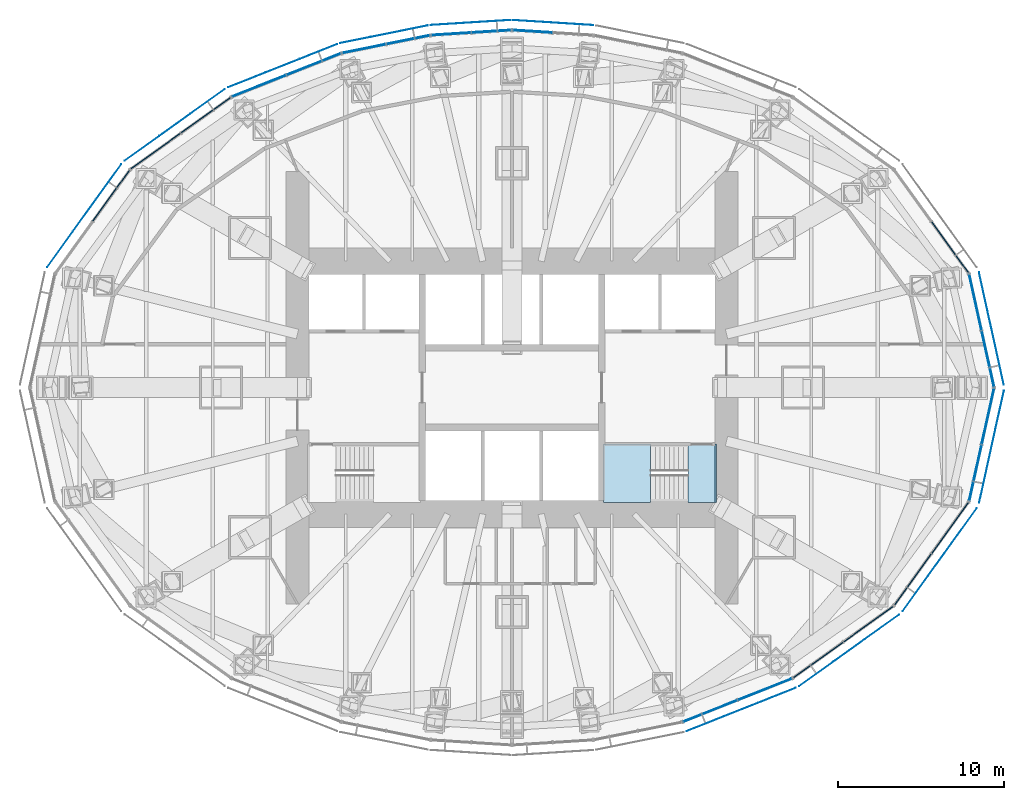
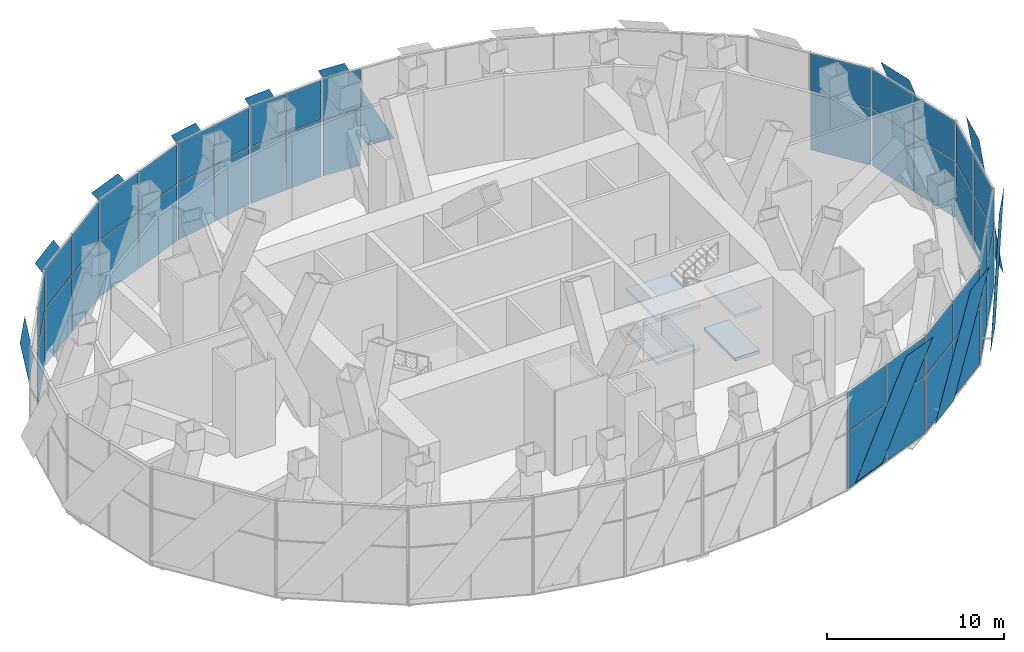
# One storey, part 12 of 19: 53 plates, 4 slabs, 13 elements without a shape of their own.
"""IFC4 building model written with IfcOpenShell, lengths in metres."""

from ifc_helpers import new_model, si_unit, direction, frame, origin, origin_2d, place, context, subcontext, project, spatial, polyline, rectangle, outline, extrude, material, layer, layer_set, type_object, element, aggregate, save


model = new_model("IFC4")

# Units and contexts
model_context = context("Model", 3, precision=1e-05, world=origin(), true_north=direction((0.0, 1.0)))
body_context = subcontext(model_context, "Body", "Model", "MODEL_VIEW")
ifc_project = project(units=[si_unit("LENGTHUNIT", "METRE"), si_unit("AREAUNIT", "SQUARE_METRE"), si_unit("VOLUMEUNIT", "CUBIC_METRE"), si_unit("PLANEANGLEUNIT", "RADIAN"), si_unit("MASSUNIT", "GRAM", prefix="KILO")], contexts=[model_context])

# Site, building, storey
site_placement = place(None, origin())
site = spatial("IfcSite", under=ifc_project, at=site_placement, CompositionType="ELEMENT")
building_placement = place(site_placement, origin())
building = spatial("IfcBuilding", under=site, at=building_placement, Name="Lantaw Convention Tower", CompositionType="ELEMENT")
storey_placement = place(building_placement, frame((0.0, 0.0, 193.0)))
storey = spatial("IfcBuildingStorey", under=building, at=storey_placement, Name="L45", CompositionType="ELEMENT", Elevation=193.0)

# Curtain wall, plates
ifc_material_1 = material(Name="Aluminium framed curtain wall", Category="aluminium")
curtain_wall_type = type_object("IfcCurtainWallType", Name="Plant floor louvre wall, pale aluminium", PredefinedType="USERDEFINED", material=ifc_material_1)
curtain_wall_1_placement = place(storey_placement, origin())
curtain_wall_1 = element("IfcCurtainWall", 1, at=curtain_wall_1_placement, inside=storey, type_object=curtain_wall_type, Name="Plant floor louvre wall, pale aluminium L45", ObjectType="LOUVRE WALL", PredefinedType="USERDEFINED")
ifc_material_2 = material(Name="Aluminium louvre blades", Category="aluminium")
ifc_layer_1 = layer(ifc_material_2, 0.050048828125)
ifc_layer_set_1 = layer_set([ifc_layer_1], Name="CW-LV panel 50")
plate_type_1 = type_object("IfcPlateType", Name="CW-LV panel 50", PredefinedType="CURTAIN_PANEL", material=ifc_layer_set_1)
plate_1_placement = place(storey_placement, frame((28.617919921875, 1.73046875, -0.929931640625), z_axis=(0.0, 0.0, 1.0), x_axis=(-0.215546166174, 0.9764936509, 0.0)))
plate_1 = element("IfcPlate", 2, at=plate_1_placement, type_object=plate_type_1, Name="CW-LV panel 1.1", PredefinedType="CURTAIN_PANEL", context=body_context, shape_type="SweptSolid", body=[
    extrude(rectangle(XDim=3.404052734375, YDim=0.050048828125, at=origin_2d()), origin(), (0.0, 0.0, 1.0), 3.89501953125),
])
plate_2_placement = place(storey_placement, frame((28.617919921875, 1.73046875, 3.03515625), z_axis=(0.0, 0.0, 1.0), x_axis=(-0.215546166174, 0.9764936509, 0.0)))
plate_2 = element("IfcPlate", 3, at=plate_2_placement, type_object=plate_type_1, Name="CW-LV panel 1.2", PredefinedType="CURTAIN_PANEL", context=body_context, shape_type="SweptSolid", body=[
    extrude(rectangle(XDim=3.404052734375, YDim=0.050048828125, at=origin_2d()), origin(), (0.0, 0.0, 1.0), 2.695068359375),
])
plate_3_placement = place(storey_placement, frame((27.869140625, 5.122802734375, -0.929931640625), z_axis=(0.0, 0.0, 1.0), x_axis=(-0.215546166174, 0.9764936509, 0.0)))
plate_3 = element("IfcPlate", 4, at=plate_3_placement, type_object=plate_type_1, Name="CW-LV panel 2.1", PredefinedType="CURTAIN_PANEL", context=body_context, shape_type="SweptSolid", body=[
    extrude(rectangle(XDim=3.404052734375, YDim=0.050048828125, at=origin_2d()), origin(), (0.0, 0.0, 1.0), 3.89501953125),
])
plate_4_placement = place(storey_placement, frame((27.869140625, 5.122802734375, 3.03515625), z_axis=(0.0, 0.0, 1.0), x_axis=(-0.215546166174, 0.9764936509, 0.0)))
plate_4 = element("IfcPlate", 5, at=plate_4_placement, type_object=plate_type_1, Name="CW-LV panel 2.2", PredefinedType="CURTAIN_PANEL", context=body_context, shape_type="SweptSolid", body=[
    extrude(rectangle(XDim=3.404052734375, YDim=0.050048828125, at=origin_2d()), origin(), (0.0, 0.0, 1.0), 2.695068359375),
])
aggregate(curtain_wall_1, [plate_1, plate_2, plate_3, plate_4])

curtain_wall_2_placement = place(storey_placement, origin())
curtain_wall_2 = element("IfcCurtainWall", 6, at=curtain_wall_2_placement, inside=storey, type_object=curtain_wall_type, Name="Plant floor louvre wall, pale aluminium L45", ObjectType="LOUVRE WALL", PredefinedType="USERDEFINED")
plate_5_placement = place(storey_placement, frame((26.347412109375, 8.435546875, -0.929931640625), z_axis=(0.0, 0.0, 1.0), x_axis=(-0.584512597221, 0.811384633629, 0.0)))
plate_5 = element("IfcPlate", 7, at=plate_5_placement, type_object=plate_type_1, Name="CW-LV panel 1.1", PredefinedType="CURTAIN_PANEL", context=body_context, shape_type="SweptSolid", body=[
    extrude(rectangle(XDim=3.760009765625, YDim=0.050048828125, at=origin_2d()), origin(), (0.0, 0.0, 1.0), 3.89501953125),
])
plate_6_placement = place(storey_placement, frame((26.347412109375, 8.435546875, 3.03515625), z_axis=(0.0, 0.0, 1.0), x_axis=(-0.584512597221, 0.811384633629, 0.0)))
plate_6 = element("IfcPlate", 8, at=plate_6_placement, type_object=plate_type_1, Name="CW-LV panel 1.2", PredefinedType="CURTAIN_PANEL", context=body_context, shape_type="SweptSolid", body=[
    extrude(rectangle(XDim=3.760009765625, YDim=0.050048828125, at=origin_2d()), origin(), (0.0, 0.0, 1.0), 2.695068359375),
])
aggregate(curtain_wall_2, [plate_5, plate_6])

curtain_wall_3_placement = place(storey_placement, origin())
curtain_wall_3 = element("IfcCurtainWall", 9, at=curtain_wall_3_placement, inside=storey, type_object=curtain_wall_type, Name="Plant floor louvre wall, pale aluminium L45", ObjectType="LOUVRE WALL", PredefinedType="USERDEFINED")
plate_7_placement = place(storey_placement, frame((1.240478515625, 21.421875, -0.929931640625), z_axis=(0.0, 0.0, 1.0), x_axis=(-0.998022035978, 0.062865059466, 0.0)))
plate_7 = element("IfcPlate", 10, at=plate_7_placement, type_object=plate_type_1, Name="CW-LV panel 2.1", PredefinedType="CURTAIN_PANEL", context=body_context, shape_type="SweptSolid", body=[
    extrude(rectangle(XDim=2.34619140625, YDim=0.050048828125, at=origin_2d()), origin(), (0.0, 0.0, 1.0), 3.89501953125),
])
plate_8_placement = place(storey_placement, frame((1.240478515625, 21.421875, 3.03515625), z_axis=(0.0, 0.0, 1.0), x_axis=(-0.998022035978, 0.062865059466, 0.0)))
plate_8 = element("IfcPlate", 11, at=plate_8_placement, type_object=plate_type_1, Name="CW-LV panel 2.2", PredefinedType="CURTAIN_PANEL", context=body_context, shape_type="SweptSolid", body=[
    extrude(rectangle(XDim=2.34619140625, YDim=0.050048828125, at=origin_2d()), origin(), (0.0, 0.0, 1.0), 2.695068359375),
])
aggregate(curtain_wall_3, [plate_7, plate_8])

curtain_wall_4_placement = place(storey_placement, origin())
curtain_wall_4 = element("IfcCurtainWall", 12, at=curtain_wall_4_placement, inside=storey, type_object=curtain_wall_type, Name="Plant floor louvre wall, pale aluminium L45", ObjectType="LOUVRE WALL", PredefinedType="USERDEFINED")
plate_9_placement = place(storey_placement, frame((-1.240478515625, 21.421875, -0.929931640625), z_axis=(0.0, 0.0, 1.0), x_axis=(-0.998022035978, -0.062865059466, 0.0)))
plate_9 = element("IfcPlate", 13, at=plate_9_placement, type_object=plate_type_1, Name="CW-LV panel 1.1", PredefinedType="CURTAIN_PANEL", context=body_context, shape_type="SweptSolid", body=[
    extrude(rectangle(XDim=2.34619140625, YDim=0.050048828125, at=origin_2d()), origin(), (0.0, 0.0, 1.0), 3.89501953125),
])
plate_10_placement = place(storey_placement, frame((-1.240478515625, 21.421875, 3.03515625), z_axis=(0.0, 0.0, 1.0), x_axis=(-0.998022035978, -0.062865059466, 0.0)))
plate_10 = element("IfcPlate", 14, at=plate_10_placement, type_object=plate_type_1, Name="CW-LV panel 1.2", PredefinedType="CURTAIN_PANEL", context=body_context, shape_type="SweptSolid", body=[
    extrude(rectangle(XDim=2.34619140625, YDim=0.050048828125, at=origin_2d()), origin(), (0.0, 0.0, 1.0), 2.695068359375),
])
plate_11_placement = place(storey_placement, frame((-3.65185546875, 21.27001953125, -0.929931640625), z_axis=(0.0, 0.0, 1.0), x_axis=(-0.998022035978, -0.062865059466, 0.0)))
plate_11 = element("IfcPlate", 15, at=plate_11_placement, type_object=plate_type_1, Name="CW-LV panel 2.1", PredefinedType="CURTAIN_PANEL", context=body_context, shape_type="SweptSolid", body=[
    extrude(rectangle(XDim=2.34619140625, YDim=0.050048828125, at=origin_2d()), origin(), (0.0, 0.0, 1.0), 3.89501953125),
])
plate_12_placement = place(storey_placement, frame((-3.65185546875, 21.27001953125, 3.03515625), z_axis=(0.0, 0.0, 1.0), x_axis=(-0.998022035978, -0.062865059466, 0.0)))
plate_12 = element("IfcPlate", 16, at=plate_12_placement, type_object=plate_type_1, Name="CW-LV panel 2.2", PredefinedType="CURTAIN_PANEL", context=body_context, shape_type="SweptSolid", body=[
    extrude(rectangle(XDim=2.34619140625, YDim=0.050048828125, at=origin_2d()), origin(), (0.0, 0.0, 1.0), 2.695068359375),
])
aggregate(curtain_wall_4, [plate_9, plate_10, plate_11, plate_12])

curtain_wall_5_placement = place(storey_placement, origin())
curtain_wall_5 = element("IfcCurtainWall", 17, at=curtain_wall_5_placement, inside=storey, type_object=curtain_wall_type, Name="Plant floor louvre wall, pale aluminium L45", ObjectType="LOUVRE WALL", PredefinedType="USERDEFINED")
plate_13_placement = place(storey_placement, frame((-6.24853515625, 20.918701171875, -0.929931640625), z_axis=(0.0, 0.0, 1.0), x_axis=(-0.980301514912, -0.197506809659, 0.0)))
plate_13 = element("IfcPlate", 18, at=plate_13_placement, type_object=plate_type_1, Name="CW-LV panel 1.1", PredefinedType="CURTAIN_PANEL", context=body_context, shape_type="SweptSolid", body=[
    extrude(rectangle(XDim=2.62646484375, YDim=0.050048828125, at=origin_2d()), origin(), (0.0, 0.0, 1.0), 3.89501953125),
])
plate_14_placement = place(storey_placement, frame((-6.24853515625, 20.918701171875, 3.03515625), z_axis=(0.0, 0.0, 1.0), x_axis=(-0.980301514912, -0.197506809659, 0.0)))
plate_14 = element("IfcPlate", 19, at=plate_14_placement, type_object=plate_type_1, Name="CW-LV panel 1.2", PredefinedType="CURTAIN_PANEL", context=body_context, shape_type="SweptSolid", body=[
    extrude(rectangle(XDim=2.62646484375, YDim=0.050048828125, at=origin_2d()), origin(), (0.0, 0.0, 1.0), 2.695068359375),
])
plate_15_placement = place(storey_placement, frame((-8.89208984375, 20.385986328125, -0.929931640625), z_axis=(0.0, 0.0, 1.0), x_axis=(-0.980301514912, -0.197506809659, 0.0)))
plate_15 = element("IfcPlate", 20, at=plate_15_placement, type_object=plate_type_1, Name="CW-LV panel 2.1", PredefinedType="CURTAIN_PANEL", context=body_context, shape_type="SweptSolid", body=[
    extrude(rectangle(XDim=2.62646484375, YDim=0.050048828125, at=origin_2d()), origin(), (0.0, 0.0, 1.0), 3.89501953125),
])
plate_16_placement = place(storey_placement, frame((-8.89208984375, 20.385986328125, 3.03515625), z_axis=(0.0, 0.0, 1.0), x_axis=(-0.980301514912, -0.197506809659, 0.0)))
plate_16 = element("IfcPlate", 21, at=plate_16_placement, type_object=plate_type_1, Name="CW-LV panel 2.2", PredefinedType="CURTAIN_PANEL", context=body_context, shape_type="SweptSolid", body=[
    extrude(rectangle(XDim=2.62646484375, YDim=0.050048828125, at=origin_2d()), origin(), (0.0, 0.0, 1.0), 2.695068359375),
])
aggregate(curtain_wall_5, [plate_13, plate_14, plate_15, plate_16])

curtain_wall_6_placement = place(storey_placement, origin())
curtain_wall_6 = element("IfcCurtainWall", 22, at=curtain_wall_6_placement, inside=storey, type_object=curtain_wall_type, Name="Plant floor louvre wall, pale aluminium L45", ObjectType="LOUVRE WALL", PredefinedType="USERDEFINED")
plate_17_placement = place(storey_placement, frame((-11.922607421875, 19.448486328125, -0.929931640625), z_axis=(0.0, 0.0, 1.0), x_axis=(-0.929547687544, -0.368701907483, 0.0)))
plate_17 = element("IfcPlate", 23, at=plate_17_placement, type_object=plate_type_1, Name="CW-LV panel 1.1", PredefinedType="CURTAIN_PANEL", context=body_context, shape_type="SweptSolid", body=[
    extrude(rectangle(XDim=3.46337890625, YDim=0.050048828125, at=origin_2d()), origin(), (0.0, 0.0, 1.0), 3.89501953125),
])
plate_18_placement = place(storey_placement, frame((-11.922607421875, 19.448486328125, 3.03515625), z_axis=(0.0, 0.0, 1.0), x_axis=(-0.929547687544, -0.368701907483, 0.0)))
plate_18 = element("IfcPlate", 24, at=plate_18_placement, type_object=plate_type_1, Name="CW-LV panel 1.2", PredefinedType="CURTAIN_PANEL", context=body_context, shape_type="SweptSolid", body=[
    extrude(rectangle(XDim=3.46337890625, YDim=0.050048828125, at=origin_2d()), origin(), (0.0, 0.0, 1.0), 2.695068359375),
])
plate_19_placement = place(storey_placement, frame((-15.20703125, 18.145751953125, -0.929931640625), z_axis=(0.0, 0.0, 1.0), x_axis=(-0.929547687544, -0.368701907483, 0.0)))
plate_19 = element("IfcPlate", 25, at=plate_19_placement, type_object=plate_type_1, Name="CW-LV panel 2.1", PredefinedType="CURTAIN_PANEL", context=body_context, shape_type="SweptSolid", body=[
    extrude(rectangle(XDim=3.46337890625, YDim=0.050048828125, at=origin_2d()), origin(), (0.0, 0.0, 1.0), 3.89501953125),
])
plate_20_placement = place(storey_placement, frame((-15.20703125, 18.145751953125, 3.03515625), z_axis=(0.0, 0.0, 1.0), x_axis=(-0.929547687544, -0.368701907483, 0.0)))
plate_20 = element("IfcPlate", 26, at=plate_20_placement, type_object=plate_type_1, Name="CW-LV panel 2.2", PredefinedType="CURTAIN_PANEL", context=body_context, shape_type="SweptSolid", body=[
    extrude(rectangle(XDim=3.46337890625, YDim=0.050048828125, at=origin_2d()), origin(), (0.0, 0.0, 1.0), 2.695068359375),
])
aggregate(curtain_wall_6, [plate_17, plate_18, plate_19, plate_20])

curtain_wall_7_placement = place(storey_placement, origin())
curtain_wall_7 = element("IfcCurtainWall", 27, at=curtain_wall_7_placement, inside=storey, type_object=curtain_wall_type, Name="Plant floor louvre wall, pale aluminium L45", ObjectType="LOUVRE WALL", PredefinedType="USERDEFINED")
plate_21_placement = place(storey_placement, frame((-18.417724609375, 16.38232421875, -0.929931640625), z_axis=(0.0, 0.0, 1.0), x_axis=(-0.813208325995, -0.581972695693, 0.0)))
plate_21 = element("IfcPlate", 28, at=plate_21_placement, type_object=plate_type_1, Name="CW-LV panel 1.1", PredefinedType="CURTAIN_PANEL", context=body_context, shape_type="SweptSolid", body=[
    extrude(rectangle(XDim=3.6376953125, YDim=0.050048828125, at=origin_2d()), origin(), (0.0, 0.0, 1.0), 3.89501953125),
])
plate_22_placement = place(storey_placement, frame((-18.417724609375, 16.38232421875, 3.03515625), z_axis=(0.0, 0.0, 1.0), x_axis=(-0.813208325995, -0.581972695693, 0.0)))
plate_22 = element("IfcPlate", 29, at=plate_22_placement, type_object=plate_type_1, Name="CW-LV panel 1.2", PredefinedType="CURTAIN_PANEL", context=body_context, shape_type="SweptSolid", body=[
    extrude(rectangle(XDim=3.6376953125, YDim=0.050048828125, at=origin_2d()), origin(), (0.0, 0.0, 1.0), 2.695068359375),
])
plate_23_placement = place(storey_placement, frame((-21.43310546875, 14.224365234375, -0.929931640625), z_axis=(0.0, 0.0, 1.0), x_axis=(-0.813208325995, -0.581972695693, 0.0)))
plate_23 = element("IfcPlate", 30, at=plate_23_placement, type_object=plate_type_1, Name="CW-LV panel 2.1", PredefinedType="CURTAIN_PANEL", context=body_context, shape_type="SweptSolid", body=[
    extrude(rectangle(XDim=3.6376953125, YDim=0.050048828125, at=origin_2d()), origin(), (0.0, 0.0, 1.0), 3.89501953125),
])
plate_24_placement = place(storey_placement, frame((-21.43310546875, 14.224365234375, 3.03515625), z_axis=(0.0, 0.0, 1.0), x_axis=(-0.813208325995, -0.581972695693, 0.0)))
plate_24 = element("IfcPlate", 31, at=plate_24_placement, type_object=plate_type_1, Name="CW-LV panel 2.2", PredefinedType="CURTAIN_PANEL", context=body_context, shape_type="SweptSolid", body=[
    extrude(rectangle(XDim=3.6376953125, YDim=0.050048828125, at=origin_2d()), origin(), (0.0, 0.0, 1.0), 2.695068359375),
])
aggregate(curtain_wall_7, [plate_21, plate_22, plate_23, plate_24])

curtain_wall_8_placement = place(storey_placement, origin())
curtain_wall_8 = element("IfcCurtainWall", 32, at=curtain_wall_8_placement, inside=storey, type_object=curtain_wall_type, Name="Plant floor louvre wall, pale aluminium L45", ObjectType="LOUVRE WALL", PredefinedType="USERDEFINED")
plate_25_placement = place(storey_placement, frame((-24.10888671875, 11.54296875, -0.929931640625), z_axis=(0.0, 0.0, 1.0), x_axis=(-0.584512597221, -0.811384633629, 0.0)))
plate_25 = element("IfcPlate", 33, at=plate_25_placement, type_object=plate_type_1, Name="CW-LV panel 1.1", PredefinedType="CURTAIN_PANEL", context=body_context, shape_type="SweptSolid", body=[
    extrude(rectangle(XDim=3.760009765625, YDim=0.050048828125, at=origin_2d()), origin(), (0.0, 0.0, 1.0), 3.89501953125),
])
plate_26_placement = place(storey_placement, frame((-24.10888671875, 11.54296875, 3.03515625), z_axis=(0.0, 0.0, 1.0), x_axis=(-0.584512597221, -0.811384633629, 0.0)))
plate_26 = element("IfcPlate", 34, at=plate_26_placement, type_object=plate_type_1, Name="CW-LV panel 1.2", PredefinedType="CURTAIN_PANEL", context=body_context, shape_type="SweptSolid", body=[
    extrude(rectangle(XDim=3.760009765625, YDim=0.050048828125, at=origin_2d()), origin(), (0.0, 0.0, 1.0), 2.695068359375),
])
aggregate(curtain_wall_8, [plate_25, plate_26])

curtain_wall_9_placement = place(storey_placement, origin())
curtain_wall_9 = element("IfcCurtainWall", 35, at=curtain_wall_9_placement, inside=storey, type_object=curtain_wall_type, Name="Plant floor louvre wall, pale aluminium L45", ObjectType="LOUVRE WALL", PredefinedType="USERDEFINED")
plate_27_placement = place(storey_placement, frame((11.922607421875, -19.448486328125, -0.929931640625), z_axis=(0.0, 0.0, 1.0), x_axis=(0.929547687544, 0.368701907483, 0.0)))
plate_27 = element("IfcPlate", 36, at=plate_27_placement, type_object=plate_type_1, Name="CW-LV panel 1.1", PredefinedType="CURTAIN_PANEL", context=body_context, shape_type="SweptSolid", body=[
    extrude(rectangle(XDim=3.46337890625, YDim=0.050048828125, at=origin_2d()), origin(), (0.0, 0.0, 1.0), 3.89501953125),
])
plate_28_placement = place(storey_placement, frame((11.922607421875, -19.448486328125, 3.03515625), z_axis=(0.0, 0.0, 1.0), x_axis=(0.929547687544, 0.368701907483, 0.0)))
plate_28 = element("IfcPlate", 37, at=plate_28_placement, type_object=plate_type_1, Name="CW-LV panel 1.2", PredefinedType="CURTAIN_PANEL", context=body_context, shape_type="SweptSolid", body=[
    extrude(rectangle(XDim=3.46337890625, YDim=0.050048828125, at=origin_2d()), origin(), (0.0, 0.0, 1.0), 2.695068359375),
])
plate_29_placement = place(storey_placement, frame((15.20703125, -18.145751953125, -0.929931640625), z_axis=(0.0, 0.0, 1.0), x_axis=(0.929547687544, 0.368701907483, 0.0)))
plate_29 = element("IfcPlate", 38, at=plate_29_placement, type_object=plate_type_1, Name="CW-LV panel 2.1", PredefinedType="CURTAIN_PANEL", context=body_context, shape_type="SweptSolid", body=[
    extrude(rectangle(XDim=3.46337890625, YDim=0.050048828125, at=origin_2d()), origin(), (0.0, 0.0, 1.0), 3.89501953125),
])
plate_30_placement = place(storey_placement, frame((15.20703125, -18.145751953125, 3.03515625), z_axis=(0.0, 0.0, 1.0), x_axis=(0.929547687544, 0.368701907483, 0.0)))
plate_30 = element("IfcPlate", 39, at=plate_30_placement, type_object=plate_type_1, Name="CW-LV panel 2.2", PredefinedType="CURTAIN_PANEL", context=body_context, shape_type="SweptSolid", body=[
    extrude(rectangle(XDim=3.46337890625, YDim=0.050048828125, at=origin_2d()), origin(), (0.0, 0.0, 1.0), 2.695068359375),
])
aggregate(curtain_wall_9, [plate_27, plate_28, plate_29, plate_30])

curtain_wall_10_placement = place(storey_placement, origin())
curtain_wall_10 = element("IfcCurtainWall", 40, at=curtain_wall_10_placement, inside=storey, type_object=curtain_wall_type, Name="Plant floor louvre wall, pale aluminium L45", ObjectType="LOUVRE WALL", PredefinedType="USERDEFINED")
plate_31_placement = place(storey_placement, frame((18.417724609375, -16.38232421875, -0.929931640625), z_axis=(0.0, 0.0, 1.0), x_axis=(0.813208325995, 0.581972695693, 0.0)))
plate_31 = element("IfcPlate", 41, at=plate_31_placement, type_object=plate_type_1, Name="CW-LV panel 1.1", PredefinedType="CURTAIN_PANEL", context=body_context, shape_type="SweptSolid", body=[
    extrude(rectangle(XDim=3.6376953125, YDim=0.050048828125, at=origin_2d()), origin(), (0.0, 0.0, 1.0), 3.89501953125),
])
plate_32_placement = place(storey_placement, frame((18.417724609375, -16.38232421875, 3.03515625), z_axis=(0.0, 0.0, 1.0), x_axis=(0.813208325995, 0.581972695693, 0.0)))
plate_32 = element("IfcPlate", 42, at=plate_32_placement, type_object=plate_type_1, Name="CW-LV panel 1.2", PredefinedType="CURTAIN_PANEL", context=body_context, shape_type="SweptSolid", body=[
    extrude(rectangle(XDim=3.6376953125, YDim=0.050048828125, at=origin_2d()), origin(), (0.0, 0.0, 1.0), 2.695068359375),
])
plate_33_placement = place(storey_placement, frame((21.43310546875, -14.224365234375, -0.929931640625), z_axis=(0.0, 0.0, 1.0), x_axis=(0.813208325995, 0.581972695693, 0.0)))
plate_33 = element("IfcPlate", 43, at=plate_33_placement, type_object=plate_type_1, Name="CW-LV panel 2.1", PredefinedType="CURTAIN_PANEL", context=body_context, shape_type="SweptSolid", body=[
    extrude(rectangle(XDim=3.6376953125, YDim=0.050048828125, at=origin_2d()), origin(), (0.0, 0.0, 1.0), 3.89501953125),
])
plate_34_placement = place(storey_placement, frame((21.43310546875, -14.224365234375, 3.03515625), z_axis=(0.0, 0.0, 1.0), x_axis=(0.813208325995, 0.581972695693, 0.0)))
plate_34 = element("IfcPlate", 44, at=plate_34_placement, type_object=plate_type_1, Name="CW-LV panel 2.2", PredefinedType="CURTAIN_PANEL", context=body_context, shape_type="SweptSolid", body=[
    extrude(rectangle(XDim=3.6376953125, YDim=0.050048828125, at=origin_2d()), origin(), (0.0, 0.0, 1.0), 2.695068359375),
])
aggregate(curtain_wall_10, [plate_31, plate_32, plate_33, plate_34])

curtain_wall_11_placement = place(storey_placement, origin())
curtain_wall_11 = element("IfcCurtainWall", 45, at=curtain_wall_11_placement, inside=storey, type_object=curtain_wall_type, Name="Plant floor louvre wall, pale aluminium L45", ObjectType="LOUVRE WALL", PredefinedType="USERDEFINED")
plate_35_placement = place(storey_placement, frame((24.10888671875, -11.54296875, -0.929931640625), z_axis=(0.0, 0.0, 1.0), x_axis=(0.584512597221, 0.811384633629, 0.0)))
plate_35 = element("IfcPlate", 46, at=plate_35_placement, type_object=plate_type_1, Name="CW-LV panel 1.1", PredefinedType="CURTAIN_PANEL", context=body_context, shape_type="SweptSolid", body=[
    extrude(rectangle(XDim=3.760009765625, YDim=0.050048828125, at=origin_2d()), origin(), (0.0, 0.0, 1.0), 3.89501953125),
])
plate_36_placement = place(storey_placement, frame((24.10888671875, -11.54296875, 3.03515625), z_axis=(0.0, 0.0, 1.0), x_axis=(0.584512597221, 0.811384633629, 0.0)))
plate_36 = element("IfcPlate", 47, at=plate_36_placement, type_object=plate_type_1, Name="CW-LV panel 1.2", PredefinedType="CURTAIN_PANEL", context=body_context, shape_type="SweptSolid", body=[
    extrude(rectangle(XDim=3.760009765625, YDim=0.050048828125, at=origin_2d()), origin(), (0.0, 0.0, 1.0), 2.695068359375),
])
plate_37_placement = place(storey_placement, frame((26.347412109375, -8.435546875, -0.929931640625), z_axis=(0.0, 0.0, 1.0), x_axis=(0.584512597221, 0.811384633629, 0.0)))
plate_37 = element("IfcPlate", 48, at=plate_37_placement, type_object=plate_type_1, Name="CW-LV panel 2.1", PredefinedType="CURTAIN_PANEL", context=body_context, shape_type="SweptSolid", body=[
    extrude(rectangle(XDim=3.760009765625, YDim=0.050048828125, at=origin_2d()), origin(), (0.0, 0.0, 1.0), 3.89501953125),
])
plate_38_placement = place(storey_placement, frame((26.347412109375, -8.435546875, 3.03515625), z_axis=(0.0, 0.0, 1.0), x_axis=(0.584512597221, 0.811384633629, 0.0)))
plate_38 = element("IfcPlate", 49, at=plate_38_placement, type_object=plate_type_1, Name="CW-LV panel 2.2", PredefinedType="CURTAIN_PANEL", context=body_context, shape_type="SweptSolid", body=[
    extrude(rectangle(XDim=3.760009765625, YDim=0.050048828125, at=origin_2d()), origin(), (0.0, 0.0, 1.0), 2.695068359375),
])
aggregate(curtain_wall_11, [plate_35, plate_36, plate_37, plate_38])

curtain_wall_12_placement = place(storey_placement, origin())
curtain_wall_12 = element("IfcCurtainWall", 50, at=curtain_wall_12_placement, inside=storey, type_object=curtain_wall_type, Name="Plant floor louvre wall, pale aluminium L45", ObjectType="LOUVRE WALL", PredefinedType="USERDEFINED")
plate_39_placement = place(storey_placement, frame((27.869140625, -5.122802734375, -0.929931640625), z_axis=(0.0, 0.0, 1.0), x_axis=(0.215546166174, 0.9764936509, 0.0)))
plate_39 = element("IfcPlate", 51, at=plate_39_placement, type_object=plate_type_1, Name="CW-LV panel 1.1", PredefinedType="CURTAIN_PANEL", context=body_context, shape_type="SweptSolid", body=[
    extrude(rectangle(XDim=3.404052734375, YDim=0.050048828125, at=origin_2d()), origin(), (0.0, 0.0, 1.0), 3.89501953125),
])
plate_40_placement = place(storey_placement, frame((27.869140625, -5.122802734375, 3.03515625), z_axis=(0.0, 0.0, 1.0), x_axis=(0.215546166174, 0.9764936509, 0.0)))
plate_40 = element("IfcPlate", 52, at=plate_40_placement, type_object=plate_type_1, Name="CW-LV panel 1.2", PredefinedType="CURTAIN_PANEL", context=body_context, shape_type="SweptSolid", body=[
    extrude(rectangle(XDim=3.404052734375, YDim=0.050048828125, at=origin_2d()), origin(), (0.0, 0.0, 1.0), 2.695068359375),
])
plate_41_placement = place(storey_placement, frame((28.617919921875, -1.73046875, -0.929931640625), z_axis=(0.0, 0.0, 1.0), x_axis=(0.215546166174, 0.9764936509, 0.0)))
plate_41 = element("IfcPlate", 53, at=plate_41_placement, type_object=plate_type_1, Name="CW-LV panel 2.1", PredefinedType="CURTAIN_PANEL", context=body_context, shape_type="SweptSolid", body=[
    extrude(rectangle(XDim=3.404052734375, YDim=0.050048828125, at=origin_2d()), origin(), (0.0, 0.0, 1.0), 3.89501953125),
])
plate_42_placement = place(storey_placement, frame((28.617919921875, -1.73046875, 3.03515625), z_axis=(0.0, 0.0, 1.0), x_axis=(0.215546166174, 0.9764936509, 0.0)))
plate_42 = element("IfcPlate", 54, at=plate_42_placement, type_object=plate_type_1, Name="CW-LV panel 2.2", PredefinedType="CURTAIN_PANEL", context=body_context, shape_type="SweptSolid", body=[
    extrude(rectangle(XDim=3.404052734375, YDim=0.050048828125, at=origin_2d()), origin(), (0.0, 0.0, 1.0), 2.695068359375),
])
aggregate(curtain_wall_12, [plate_39, plate_40, plate_41, plate_42])

# Plates
ifc_material_3 = material(Name="Perforated aluminium sheet, pale silver finish", Category="aluminium")
ifc_layer_2 = layer(ifc_material_3, 0.006103515625)
ifc_layer_set_2 = layer_set([ifc_layer_2], Name="Perforated aluminium solar SCREEN panel")
plate_type_2 = type_object("IfcPlateType", Name="Perforated aluminium solar SCREEN panel", PredefinedType="SHEET", material=ifc_layer_set_2)
plate_43_placement = place(storey_placement, frame((29.5810546875, 0.179443359375, -0.199951171875), z_axis=(0.976497812737, 0.215527309569, 2.3461789e-05), x_axis=(-0.215527309629, 0.976497813005, 1.172e-09)))
element("IfcPlate", 55, at=plate_43_placement, inside=storey, type_object=plate_type_2, Name="Solar SCREEN panel", PredefinedType="SHEET", context=body_context, shape_type="SweptSolid", body=[
    extrude(outline(polyline([(0.0, 0.0), (2.386184367360998, -1.6940658945086007e-21), (6.918240190546627, 6.1650390560884105), (4.532108442157706, 6.165039061681704), (0.0, 0.0)])), origin(), (0.0, 0.0, -1.0), 0.006103515625),
])
plate_44_placement = place(storey_placement, frame((4.880615234375, 21.7998046875, -0.199951171875), z_axis=(0.062838799866, 0.998023689714, 1.235533e-06), x_axis=(-0.998023689715, 0.062838799866, -6e-12)))
element("IfcPlate", 56, at=plate_44_placement, inside=storey, type_object=plate_type_2, Name="Solar SCREEN panel", PredefinedType="SHEET", context=body_context, shape_type="SweptSolid", body=[
    extrude(outline(polyline([(0.0, 0.0), (1.6666243269452135, 2.6469779601696886e-23), (4.802214797186689, 6.1650390625320135), (3.135346812114104, 6.165039062513057), (0.0, 0.0)])), origin(), (0.0, 0.0, -1.0), 0.006103515625),
])
plate_45_placement = place(storey_placement, frame((-0.087890625, 22.1015625, -0.199951171875), z_axis=(0.062838799866, -0.998023689714, 1.235533e-06), x_axis=(-0.998023689715, -0.062838799866, 6e-12)))
element("IfcPlate", 57, at=plate_45_placement, inside=storey, type_object=plate_type_2, Name="Solar SCREEN panel", PredefinedType="SHEET", context=body_context, shape_type="SweptSolid", body=[
    extrude(outline(polyline([(0.0, 0.0), (1.6668679850725854, -2.6469779601696886e-23), (4.802214797256801, -6.165039062477401), (3.1355904703115876, -6.165039062496355), (0.0, 0.0)])), origin(), (0.0, 0.0, -1.0), 0.006103515625),
])
plate_46_placement = place(storey_placement, frame((-5.061279296875, 21.776123046875, -0.199951171875), z_axis=(0.197556725519, -0.980291456369, 2.7795745e-05), x_axis=(-0.980291456747, -0.197556725596, 0.0)))
element("IfcPlate", 58, at=plate_46_placement, inside=storey, type_object=plate_type_2, Name="Solar SCREEN panel", PredefinedType="SHEET", context=body_context, shape_type="SweptSolid", body=[
    extrude(outline(polyline([(0.0, 0.0), (1.8574075788555457, -1.6940658945086007e-21), (5.362987026845185, -6.165039064881565), (3.505579447989639, -6.165039064881565), (0.0, 0.0)])), origin(), (0.0, 0.0, -1.0), 0.006103515625),
])
plate_47_placement = place(storey_placement, frame((-10.517822265625, 20.65771484375, -0.199951171875), z_axis=(-0.368708915378, 0.929544907824, 7.650228e-06), x_axis=(-0.929544907851, -0.368708915389, -5e-10)))
element("IfcPlate", 59, at=plate_47_placement, inside=storey, type_object=plate_type_2, Name="Solar SCREEN panel", PredefinedType="SHEET", context=body_context, shape_type="SweptSolid", body=[
    extrude(outline(polyline([(0.0, 0.0), (2.426517302154632, 0.0), (7.0365496234061595, 6.165039066196178), (4.610169244101249, 6.165039063771457), (0.0, 0.0)])), origin(), (0.0, 0.0, -1.0), 0.006103515625),
])
plate_48_placement = place(storey_placement, frame((-17.275146484375, 17.9453125, -0.199951171875), z_axis=(0.582000183956, -0.813188653271, 8.121964e-06), x_axis=(-0.813188653298, -0.582000183975, 0.0)))
element("IfcPlate", 60, at=plate_48_placement, inside=storey, type_object=plate_type_2, Name="Solar SCREEN panel", PredefinedType="SHEET", context=body_context, shape_type="SweptSolid", body=[
    extrude(outline(polyline([(0.0, 0.0), (2.5450183911586484, -1.6940658945086007e-21), (7.385531276904658, -6.165039062703343), (4.840512885746009, -6.165039062703343), (0.0, 0.0)])), origin(), (0.0, 0.0, -1.0), 0.006103515625),
])
plate_49_placement = place(storey_placement, frame((-23.489990234375, 13.438720703125, -0.199951171875), z_axis=(0.811395121853, -0.584498037289, 2.5263716e-05), x_axis=(-0.584498037475, -0.811395122112, 6.86e-10)))
element("IfcPlate", 61, at=plate_49_placement, inside=storey, type_object=plate_type_2, Name="Solar SCREEN panel", PredefinedType="SHEET", context=body_context, shape_type="SweptSolid", body=[
    extrude(outline(polyline([(0.0, 0.0), (2.628024084063188, -6.776263578034403e-21), (7.62977826642615, -6.165039059234168), (5.001556087850728, -6.165039062839429), (0.0, 0.0)])), origin(), (0.0, 0.0, -1.0), 0.006103515625),
])
plate_50_placement = place(storey_placement, frame((10.517822265625, -20.65771484375, -0.199951171875), z_axis=(0.368708915378, -0.929544907824, 7.650228e-06), x_axis=(0.929544907851, 0.368708915389, -5e-10)))
element("IfcPlate", 62, at=plate_50_placement, inside=storey, type_object=plate_type_2, Name="Solar SCREEN panel", PredefinedType="SHEET", context=body_context, shape_type="SweptSolid", body=[
    extrude(outline(polyline([(0.0, 0.0), (2.426517302154632, 0.0), (7.0365496234061595, 6.165039066196178), (4.610169244101249, 6.165039063771457), (0.0, 0.0)])), origin(), (0.0, 0.0, -1.0), 0.006103515625),
])
plate_51_placement = place(storey_placement, frame((17.275146484375, -17.9453125, -0.199951171875), z_axis=(-0.582000183956, 0.813188653271, 8.121964e-06), x_axis=(0.813188653298, 0.582000183975, 0.0)))
element("IfcPlate", 63, at=plate_51_placement, inside=storey, type_object=plate_type_2, Name="Solar SCREEN panel", PredefinedType="SHEET", context=body_context, shape_type="SweptSolid", body=[
    extrude(outline(polyline([(0.0, 0.0), (2.5450183911586484, -1.6940658945086007e-21), (7.385531276904658, -6.165039062703343), (4.840512885746009, -6.165039062703343), (0.0, 0.0)])), origin(), (0.0, 0.0, -1.0), 0.006103515625),
])
plate_52_placement = place(storey_placement, frame((23.489990234375, -13.438720703125, -0.199951171875), z_axis=(-0.811395121853, 0.584498037289, 2.5263716e-05), x_axis=(0.584498037475, 0.811395122112, 6.86e-10)))
element("IfcPlate", 64, at=plate_52_placement, inside=storey, type_object=plate_type_2, Name="Solar SCREEN panel", PredefinedType="SHEET", context=body_context, shape_type="SweptSolid", body=[
    extrude(outline(polyline([(0.0, 0.0), (2.628024084063188, -6.776263578034403e-21), (7.62977826642615, -6.165039059234168), (5.001556087850728, -6.165039062839429), (0.0, 0.0)])), origin(), (0.0, 0.0, -1.0), 0.006103515625),
])
plate_53_placement = place(storey_placement, frame((28.08984375, -6.93505859375, -0.199951171875), z_axis=(-0.976497812737, 0.215527309569, 2.3461789e-05), x_axis=(0.215527309629, 0.976497813005, -1.172e-09)))
element("IfcPlate", 65, at=plate_53_placement, inside=storey, type_object=plate_type_2, Name="Solar SCREEN panel", PredefinedType="SHEET", context=body_context, shape_type="SweptSolid", body=[
    extrude(outline(polyline([(0.0, 0.0), (2.386131748388921, 1.6940658945086007e-21), (6.918240176095254, -6.165039072305349), (4.532055808734257, -6.165039066711932), (0.0, 0.0)])), origin(), (0.0, 0.0, -1.0), 0.006103515625),
])

# Stair, slabs
ifc_material_4 = material(Name="Concrete C35/45", Category="concrete")
stair_type = type_object("IfcStairType", Name="Exit stair 1500 riser 166.67 in 4 flights", PredefinedType="HALF_TURN_STAIR", material=ifc_material_4)
stair_placement = place(storey_placement, origin())
stair = element("IfcStair", 66, at=stair_placement, inside=storey, type_object=stair_type, Name="Exit stair S2 L45", PredefinedType="HALF_TURN_STAIR")
ifc_layer_3 = layer(ifc_material_4, 0.199951171875)
ifc_layer_set_3 = layer_set([ifc_layer_3], Name="Stair landing 200")
slab_type = type_object("IfcSlabType", Name="Stair landing 200", PredefinedType="LANDING", material=ifc_layer_set_3)
slab_1_placement = place(storey_placement, frame((0.0, 0.0, -0.199951171875)))
slab_1 = element("IfcSlab", 67, at=slab_1_placement, type_object=slab_type, Name="S2 landing 1", PredefinedType="LANDING", context=body_context, shape_type="SweptSolid", body=[
    extrude(outline(polyline([(10.580078125, -6.89990234375), (12.199951171875, -6.89990234375), (12.199951171875, -3.39990234375), (10.580078125, -3.39990234375), (10.580078125, -6.89990234375)])), origin(), (0.0, 0.0, 1.0), 0.199951171875),
])
slab_2_placement = place(storey_placement, frame((0.0, 0.0, 1.300048828125)))
slab_2 = element("IfcSlab", 68, at=slab_2_placement, type_object=slab_type, Name="S2 landing 2", PredefinedType="LANDING", context=body_context, shape_type="SweptSolid", body=[
    extrude(outline(polyline([(5.5, -6.89990234375), (8.340087890625, -6.89990234375), (8.340087890625, -3.39990234375), (5.5, -3.39990234375), (5.5, -6.89990234375)])), origin(), (0.0, 0.0, 1.0), 0.199951171875),
])
slab_3_placement = place(storey_placement, frame((0.0, 0.0, 2.800048828125)))
slab_3 = element("IfcSlab", 69, at=slab_3_placement, type_object=slab_type, Name="S2 landing 3", PredefinedType="LANDING", context=body_context, shape_type="SweptSolid", body=[
    extrude(outline(polyline([(10.580078125, -6.89990234375), (12.300048828125, -6.89990234375), (12.300048828125, -3.39990234375), (10.580078125, -3.39990234375), (10.580078125, -6.89990234375)])), origin(), (0.0, 0.0, 1.0), 0.199951171875),
])
slab_4_placement = place(storey_placement, frame((0.0, 0.0, 4.300048828125)))
slab_4 = element("IfcSlab", 70, at=slab_4_placement, type_object=slab_type, Name="S2 landing 4", PredefinedType="LANDING", context=body_context, shape_type="SweptSolid", body=[
    extrude(outline(polyline([(5.5, -6.89990234375), (8.340087890625, -6.89990234375), (8.340087890625, -3.39990234375), (5.5, -3.39990234375), (5.5, -6.89990234375)])), origin(), (0.0, 0.0, 1.0), 0.199951171875),
])
aggregate(stair, [slab_1, slab_2, slab_3, slab_4])

save(model, "model.ifc")
